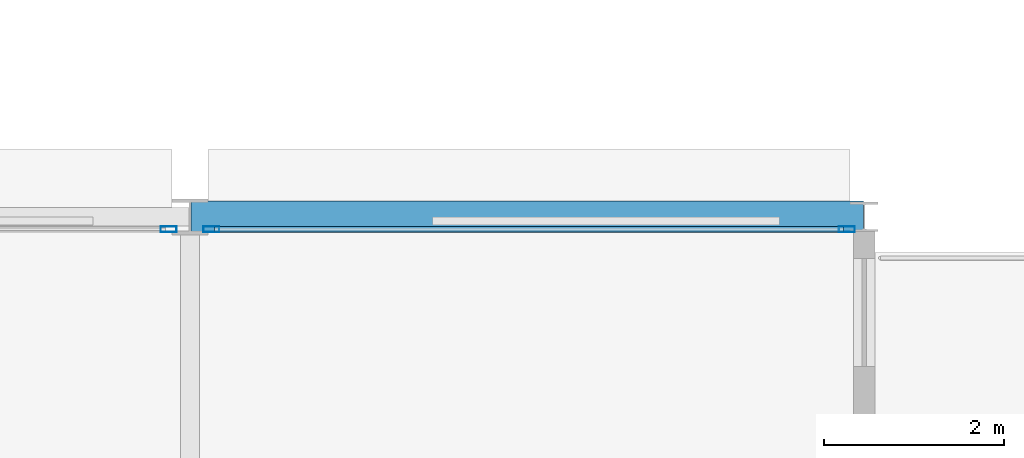
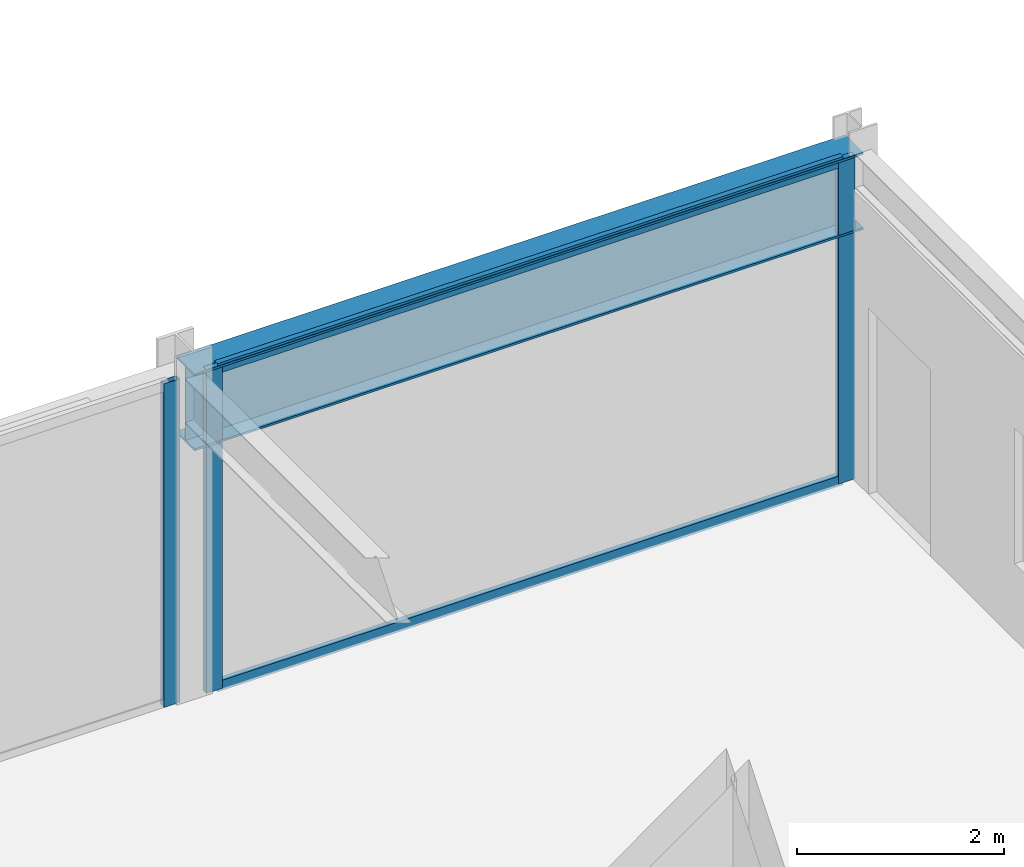
# One storey, part 22 of 39: 5 members, 1 beam, 2 elements without a shape of their own.
"""IFC4 building model written with IfcOpenShell, lengths in metres."""

from ifc_helpers import new_model, si_unit, direction, frame, origin, origin_2d, place, context, subcontext, project, spatial, hollow_rectangle, i_section, extrude, material, layer, layer_set, material_profile, profile_set, type_object, element, aggregate, save


model = new_model("IFC4")

# Units and contexts
model_context = context("Model", 3, precision=1e-05, world=origin(), true_north=direction((0.0, 1.0)))
body_context = subcontext(model_context, "Body", "Model", "MODEL_VIEW")
ifc_project = project(units=[si_unit("LENGTHUNIT", "METRE"), si_unit("AREAUNIT", "SQUARE_METRE"), si_unit("VOLUMEUNIT", "CUBIC_METRE"), si_unit("PLANEANGLEUNIT", "RADIAN"), si_unit("MASSUNIT", "GRAM", prefix="KILO")], contexts=[model_context])

# Site, building, storey
site_placement = place(None, origin())
site = spatial("IfcSite", under=ifc_project, at=site_placement, CompositionType="ELEMENT")
building_placement = place(site_placement, origin())
building = spatial("IfcBuilding", under=site, at=building_placement, Name="Nerrivon Quay Data Exchange", CompositionType="ELEMENT")
storey_placement = place(building_placement, frame((0.0, 0.0, 92.60009765625)))
storey = spatial("IfcBuildingStorey", under=building, at=storey_placement, Name="L21", CompositionType="ELEMENT", Elevation=92.60009765625)

# Beam
ifc_material_1 = material(Name="Steel Grade 350", Category="steel")
ifc_material_profile_1 = material_profile(ifc_material_1, i_section(OverallWidth=0.35009765625, OverallDepth=0.909912109375, WebThickness=0.011962890625, FlangeThickness=0.02490234375, at=origin_2d()), Name="900WB218")
ifc_profile_set_1 = profile_set([ifc_material_profile_1], Name="Steel Grade 350")
beam_type = type_object("IfcBeamType", Name="BM-CANT-900WB", PredefinedType="USERDEFINED", material=ifc_profile_set_1)
beam_placement = place(storey_placement, frame((50.41259765625, 25.199951171875, 3.369873046875), z_axis=(1.0, 0.0, 0.0), x_axis=(0.0, 1.0, 0.0)))
element("IfcBeam", 1, at=beam_placement, inside=storey, type_object=beam_type, Name="L21 East Hooked Cantilever Girder Y=25.2", ObjectType="TRANSFER", PredefinedType="USERDEFINED", context=body_context, shape_type="SweptSolid", body=[
    extrude(i_section(OverallWidth=0.35009765625, OverallDepth=0.909912109375, WebThickness=0.011962890625, FlangeThickness=0.02490234375, at=origin_2d()), origin(), (0.0, 0.0, 1.0), 7.4794921875),
])

# Curtain wall, member
ifc_material_2 = material(Name="Anodised aluminium 6063-T6", Category="aluminium")
ifc_layer_1 = layer(ifc_material_2, 0.2099609375)
ifc_layer_set_1 = layer_set([ifc_layer_1], Name="Anodised aluminium 6063-T6")
curtain_wall_type_1 = type_object("IfcCurtainWallType", Name="CW-SYS-02", PredefinedType="NOTDEFINED", material=ifc_layer_set_1)
curtain_wall_1_placement = place(storey_placement, origin())
curtain_wall_1 = element("IfcCurtainWall", 2, at=curtain_wall_1_placement, inside=storey, type_object=curtain_wall_type_1, Name="L21 Unitised Curtain Wall 34", PredefinedType="NOTDEFINED")
ifc_material_profile_2 = material_profile(ifc_material_2, hollow_rectangle(XDim=0.06494140625, YDim=0.179931640625, WallThickness=0.00341796875, at=origin_2d()), Name="ALU-MULL-180x65")
ifc_profile_set_2 = profile_set([ifc_material_profile_2], Name="Anodised aluminium 6063-T6")
member_type_1 = type_object("IfcMemberType", Name="CWM-180x65", PredefinedType="MULLION", material=ifc_profile_set_2)
member_1_placement = place(storey_placement, frame((50.16259765625, 25.06005859375, 0.0), z_axis=(0.0, 0.0, 1.0), x_axis=(0.0, 1.0, 0.0)))
member_1 = element("IfcMember", 3, at=member_1_placement, type_object=member_type_1, Name="CW02 mullion 2", PredefinedType="MULLION", context=body_context, shape_type="SweptSolid", body=[
    extrude(hollow_rectangle(XDim=0.06494140625, YDim=0.179931640625, WallThickness=0.00341796875, at=origin_2d()), origin(), (0.0, 0.0, 1.0), 3.824951171875),
])
aggregate(curtain_wall_1, [member_1])

# Curtain wall, members
ifc_layer_2 = layer(ifc_material_2, 0.199951171875)
ifc_layer_set_2 = layer_set([ifc_layer_2], Name="Anodised aluminium 6063-T6")
curtain_wall_type_2 = type_object("IfcCurtainWallType", Name="CW-SYS-04", PredefinedType="NOTDEFINED", material=ifc_layer_set_2)
curtain_wall_2_placement = place(storey_placement, origin())
curtain_wall_2 = element("IfcCurtainWall", 4, at=curtain_wall_2_placement, inside=storey, type_object=curtain_wall_type_2, Name="L21 Unitised Curtain Wall 35", PredefinedType="NOTDEFINED")
member_2_placement = place(storey_placement, frame((50.637451171875, 25.06005859375, 0.0), z_axis=(0.0, 0.0, 1.0), x_axis=(0.0, 1.0, 0.0)))
member_2 = element("IfcMember", 5, at=member_2_placement, type_object=member_type_1, Name="CW04 mullion 1", PredefinedType="MULLION", context=body_context, shape_type="SweptSolid", body=[
    extrude(hollow_rectangle(XDim=0.06494140625, YDim=0.179931640625, WallThickness=0.00341796875, at=origin_2d()), origin(), (0.0, 0.0, 1.0), 3.824951171875),
])
member_3_placement = place(storey_placement, frame((57.70703125, 25.06005859375, 0.0), z_axis=(0.0, 0.0, 1.0), x_axis=(0.0, 1.0, 0.0)))
member_3 = element("IfcMember", 6, at=member_3_placement, type_object=member_type_1, Name="CW04 mullion 2", PredefinedType="MULLION", context=body_context, shape_type="SweptSolid", body=[
    extrude(hollow_rectangle(XDim=0.06494140625, YDim=0.179931640625, WallThickness=0.00341796875, at=origin_2d()), origin(), (0.0, 0.0, 1.0), 3.824951171875),
])
ifc_material_profile_3 = material_profile(ifc_material_2, hollow_rectangle(XDim=0.06005859375, YDim=0.1201171875, WallThickness=0.003173828125, at=origin_2d()), Name="ALU-TRAN-120x60")
ifc_profile_set_3 = profile_set([ifc_material_profile_3], Name="Anodised aluminium 6063-T6")
member_type_2 = type_object("IfcMemberType", Name="CWT-120x60", PredefinedType="USERDEFINED", material=ifc_profile_set_3)
member_4_placement = place(storey_placement, frame((50.675048828125, 25.06005859375, 0.032470703125), z_axis=(1.0, 0.0, 0.0), x_axis=(0.0, 1.0, 0.0)))
member_4 = element("IfcMember", 7, at=member_4_placement, type_object=member_type_2, Name="CW04 transom 1.1", ObjectType="TRANSOM", PredefinedType="USERDEFINED", context=body_context, shape_type="SweptSolid", body=[
    extrude(hollow_rectangle(XDim=0.06005859375, YDim=0.1201171875, WallThickness=0.003173828125, at=origin_2d()), origin(), (0.0, 0.0, 1.0), 6.994384765625),
])
member_5_placement = place(storey_placement, frame((50.675048828125, 25.06005859375, 3.79248046875), z_axis=(1.0, 0.0, 0.0), x_axis=(0.0, 1.0, 0.0)))
member_5 = element("IfcMember", 8, at=member_5_placement, type_object=member_type_2, Name="CW04 transom 1.2", ObjectType="TRANSOM", PredefinedType="USERDEFINED", context=body_context, shape_type="SweptSolid", body=[
    extrude(hollow_rectangle(XDim=0.06005859375, YDim=0.1201171875, WallThickness=0.003173828125, at=origin_2d()), origin(), (0.0, 0.0, 1.0), 6.994384765625),
])
aggregate(curtain_wall_2, [member_2, member_3, member_4, member_5])

save(model, "model.ifc")
